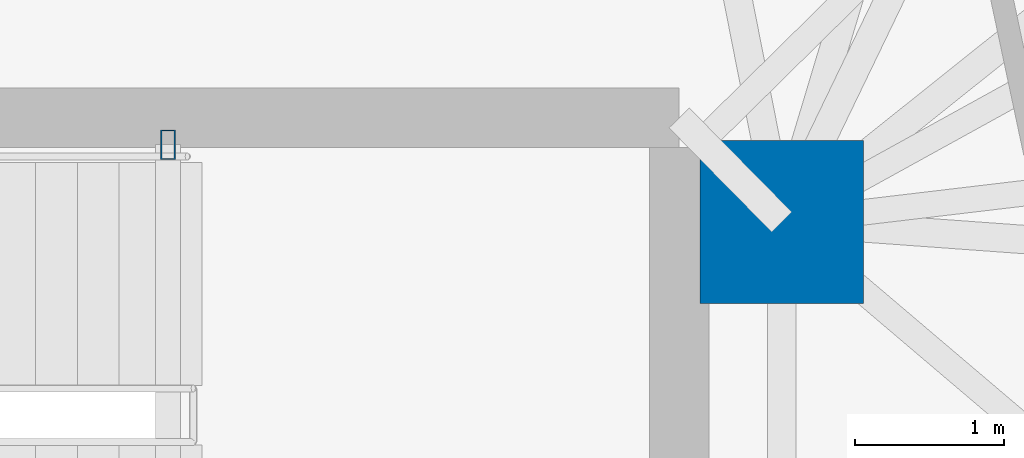
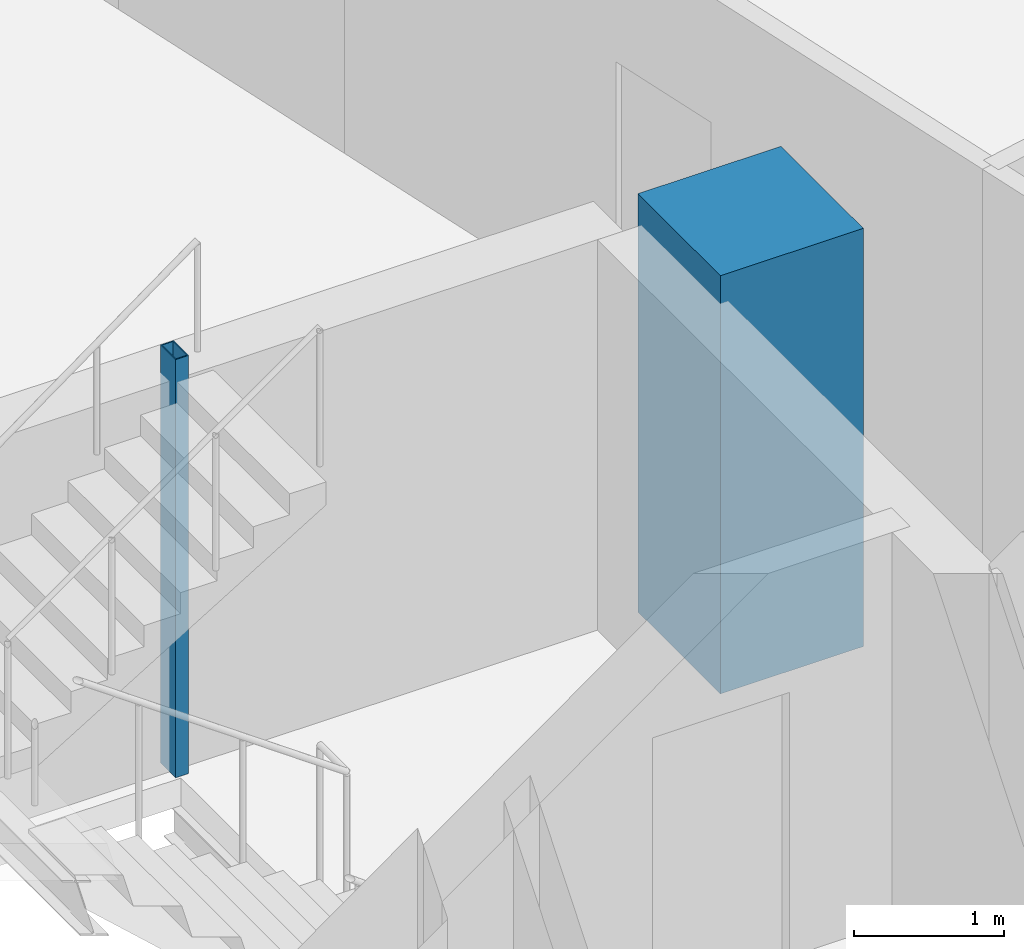
# One storey, part 4 of 20: 2 columns.
"""IFC4 building model written with IfcOpenShell, lengths in metres."""

import ifcopenshell
import ifcopenshell.guid

model = None  # the IFC model being written
_history = None  # IfcOwnerHistory: only IFC2X3 demands one
_inside = {}  # id of a spatial element -> (the spatial element, [elements in it])
_under = {}  # id of a project, library or spatial element -> (it, [spatial elements below it])
_declared = {}  # id of a project -> (the project, [libraries it declares])
_typed = {}  # id of a type object -> (the type object, [elements of that type])
_made_of = {}  # id of a material, layer set ... -> (it, [elements and type objects made of it])


def new_model(schema):
    """Start an empty IFC model of exactly this schema.

    Asked for "IFC4X3", IfcOpenShell would pick the latest addendum, in which some entities
    have other attributes; the version numbers below select the first issue.
    IFC2X3 requires an IfcOwnerHistory on every rooted entity: one is made here for all.
    """
    global model, _history
    if schema == "IFC4X3":
        model = ifcopenshell.file(schema_version=(4, 3, 0, 0))
    else:
        model = ifcopenshell.file(schema=schema)
    _inside.clear()
    _under.clear()
    _declared.clear()
    _typed.clear()
    _made_of.clear()
    _history = None
    if model.schema == "IFC2X3":
        org = make("IfcOrganization", Name="unknown")
        user = make(
            "IfcPersonAndOrganization",
            ThePerson=make("IfcPerson", FamilyName="unknown"),
            TheOrganization=org,
        )
        app = make(
            "IfcApplication",
            ApplicationDeveloper=org,
            Version="unknown",
            ApplicationFullName="unknown",
            ApplicationIdentifier="unknown",
        )
        _history = make(
            "IfcOwnerHistory",
            OwningUser=user,
            OwningApplication=app,
            ChangeAction="ADDED",
            CreationDate=0,
        )
    return model


def make(cls, **values):
    """One entity of the class cls with the attributes given. An attribute that is None is left unset."""
    return model.create_entity(
        cls, **{name: value for name, value in values.items() if value is not None}
    )


def rooted(cls, **values):
    """An entity with a GlobalId (a new one), such as an element, a storey or a relation."""
    return make(cls, GlobalId=ifcopenshell.guid.new(), OwnerHistory=_history, **values)


def si_unit(unit_type, name, prefix=None):
    """IfcSIUnit, for example si_unit("LENGTHUNIT", "METRE", prefix="MILLI")."""
    return make("IfcSIUnit", UnitType=unit_type, Prefix=prefix, Name=name)


def assignment(units):
    """IfcUnitAssignment: the units of a project."""
    return None if units is None else make("IfcUnitAssignment", Units=units)


def point(xyz):
    """IfcCartesianPoint."""
    return None if xyz is None else make("IfcCartesianPoint", Coordinates=xyz)


def direction(xyz):
    """IfcDirection."""
    return None if xyz is None else make("IfcDirection", DirectionRatios=xyz)


def frame(location, z_axis=None, x_axis=None):
    """IfcAxis2Placement3D, a coordinate frame: its origin and axes. An axis left out is left unset."""
    return make(
        "IfcAxis2Placement3D",
        Location=point(location),
        Axis=direction(z_axis),
        RefDirection=direction(x_axis),
    )


def frame_2d(location, x_axis=None):
    """IfcAxis2Placement2D, a coordinate frame in the plane: its origin and x axis."""
    return make(
        "IfcAxis2Placement2D", Location=point(location), RefDirection=direction(x_axis)
    )


def origin():
    """The frame at (0, 0, 0) with its axes left unset."""
    return frame((0.0, 0.0, 0.0))


def origin_2d():
    """The frame at (0, 0) in the plane with its x axis left unset."""
    return frame_2d((0.0, 0.0))


def place(relative_to, where):
    """IfcLocalPlacement: puts the frame where relative to a parent placement (None: the world)."""
    return make(
        "IfcLocalPlacement", PlacementRelTo=relative_to, RelativePlacement=where
    )


def context(
    kind, dimensions, precision=None, world=None, true_north=None, identifier=None
):
    """IfcGeometricRepresentationContext, for example the 3D "Model" context."""
    return make(
        "IfcGeometricRepresentationContext",
        ContextIdentifier=identifier,
        ContextType=kind,
        CoordinateSpaceDimension=dimensions,
        Precision=precision,
        WorldCoordinateSystem=world,
        TrueNorth=true_north,
    )


def subcontext(parent, identifier, kind, view, scale=None):
    """IfcGeometricRepresentationSubContext, for example "Body" below "Model"."""
    return make(
        "IfcGeometricRepresentationSubContext",
        ContextIdentifier=identifier,
        ContextType=kind,
        ParentContext=parent,
        TargetScale=scale,
        TargetView=view,
    )


def project(units=None, contexts=None):
    """IfcProject with its units and contexts."""
    return rooted(
        "IfcProject",
        Name="project",
        RepresentationContexts=contexts,
        UnitsInContext=assignment(units),
    )


def spatial(cls, under=None, at=None, **own):
    """A site, building, storey or space (cls), placed at a placement, below another one or the project."""
    s = rooted(cls, ObjectPlacement=at, **own)
    if under is not None:
        _under.setdefault(under.id(), (under, []))[1].append(s)
    return s


def profile(cls, at=None, kind="AREA", **sizes):
    """A parametric profile (cls). Its sizes go by their IFC names, for example OverallWidth=200.0."""
    return make(cls, ProfileType=kind, Position=at, **sizes)


def rectangle(**sizes):
    """IfcRectangleProfileDef."""
    return profile("IfcRectangleProfileDef", **sizes)


def hollow_rectangle(**sizes):
    """IfcRectangleHollowProfileDef."""
    return profile("IfcRectangleHollowProfileDef", **sizes)


def extrude(swept, where, along, depth):
    """IfcExtrudedAreaSolid: the profile swept, set in the frame where, extruded along a direction by depth."""
    return make(
        "IfcExtrudedAreaSolid",
        SweptArea=swept,
        Position=where,
        ExtrudedDirection=direction(along),
        Depth=depth,
    )


def shape(context_of_items, identifier, shape_type, items):
    """IfcShapeRepresentation: the items that make up one representation, for example the "Body"."""
    return make(
        "IfcShapeRepresentation",
        ContextOfItems=context_of_items,
        RepresentationIdentifier=identifier,
        RepresentationType=shape_type,
        Items=items,
    )


def material(Name=None, Category=None):
    """IfcMaterial."""
    return make("IfcMaterial", Name=Name, Category=Category)


def material_profile(
    of_material, cross_section, Name=None, Category=None, Priority=None
):
    """IfcMaterialProfile: a cross section and its material."""
    return make(
        "IfcMaterialProfile",
        Name=Name,
        Material=of_material,
        Profile=cross_section,
        Priority=Priority,
        Category=Category,
    )


def profile_set(profiles, Name=None, composite=None):
    """IfcMaterialProfileSet."""
    return make(
        "IfcMaterialProfileSet",
        Name=Name,
        MaterialProfiles=profiles,
        CompositeProfile=composite,
    )


def made_of(thing, what):
    """Note that an element or type object is made of a material, layer set ...; save() writes the relation."""
    if what is not None:
        _made_of.setdefault(what.id(), (what, []))[1].append(thing)
    return thing


def type_object(cls, material=None, **own):
    """A type object (cls), such as IfcWallType, which elements share."""
    return made_of(rooted(cls, **own), material)


def element(
    cls,
    number,
    at=None,
    inside=None,
    cuts=None,
    type_object=None,
    material=None,
    context=None,
    identifier="Body",
    shape_type=None,
    held_by="IfcProductDefinitionShape",
    body=None,
    shapes=None,
    **own,
):
    """One element of the class cls, such as IfcWall. Its Tag is "e" and its number.

    at: its placement. inside: the storey or other place that contains it. cuts: it is an
    opening in that element (IfcRelVoidsElement). A single representation is given by context,
    identifier, shape_type and body (its items); several are given by shapes. held_by: the class
    of the entity that holds the representations. save() writes the other relations.
    """
    e = rooted(cls, Tag="e%d" % number, ObjectPlacement=at, **own)
    if body is not None:
        shapes = [shape(context, identifier, shape_type, body)]
    if shapes is not None:
        e.Representation = make(held_by, Representations=shapes)
    if inside is not None:
        _inside.setdefault(inside.id(), (inside, []))[1].append(e)
    if cuts is not None:
        rooted(
            "IfcRelVoidsElement", RelatingBuildingElement=cuts, RelatedOpeningElement=e
        )
    if type_object is not None:
        _typed.setdefault(type_object.id(), (type_object, []))[1].append(e)
    return made_of(e, material)


def aggregate(whole, parts):
    """IfcRelAggregates: a whole, such as a stair, and the parts it consists of."""
    return rooted("IfcRelAggregates", RelatingObject=whole, RelatedObjects=parts)


def save(model, path):
    """Write the relations noted so far, then the file.

    IfcRelAggregates (storeys below a building ...), IfcRelContainedInSpatialStructure (elements
    in a storey), IfcRelDefinesByType, IfcRelAssociatesMaterial and IfcRelDeclares: one each for
    every whole, place, type object, material and project.
    """
    for whole, parts in _under.values():
        aggregate(whole, parts)
    for where, things in _inside.values():
        rooted(
            "IfcRelContainedInSpatialStructure",
            RelatedElements=things,
            RelatingStructure=where,
        )
    for kind, things in _typed.values():
        rooted("IfcRelDefinesByType", RelatedObjects=things, RelatingType=kind)
    for what, things in _made_of.values():
        rooted("IfcRelAssociatesMaterial", RelatedObjects=things, RelatingMaterial=what)
    for by, libraries in _declared.values():
        rooted("IfcRelDeclares", RelatingContext=by, RelatedDefinitions=libraries)
    model.write(path)


model = new_model("IFC4")

# Units and contexts
model_context = context("Model", 3, precision=1e-05, world=origin(), true_north=direction((0.0, 1.0)))
body_context = subcontext(model_context, "Body", "Model", "MODEL_VIEW")
ifc_project = project(units=[si_unit("LENGTHUNIT", "METRE"), si_unit("AREAUNIT", "SQUARE_METRE"), si_unit("VOLUMEUNIT", "CUBIC_METRE"), si_unit("PLANEANGLEUNIT", "RADIAN"), si_unit("MASSUNIT", "GRAM", prefix="KILO")], contexts=[model_context])

# Site, building, storey
site_placement = place(None, origin())
site = spatial("IfcSite", under=ifc_project, at=site_placement, CompositionType="ELEMENT")
building_placement = place(site_placement, origin())
building = spatial("IfcBuilding", under=site, at=building_placement, Name="Menara Jurai Vektor", CompositionType="ELEMENT")
storey_placement = place(building_placement, frame((0.0, 0.0, 185.39990234375)))
storey = spatial("IfcBuildingStorey", under=building, at=storey_placement, Name="L48", CompositionType="ELEMENT", Elevation=185.39990234375)

# Columns
ifc_material_1 = material(Name="Concrete C50/60", Category="concrete")
ifc_material_profile_1 = material_profile(ifc_material_1, rectangle(XDim=1.10009765625, YDim=1.10009765625, at=origin_2d()), Name="RC 1100x1100")
ifc_profile_set_1 = profile_set([ifc_material_profile_1], Name="Concrete C50/60")
column_type_1 = type_object("IfcColumnType", Name="STR-COL-RC1100", PredefinedType="COLUMN", material=ifc_profile_set_1)
column_1_placement = place(storey_placement, frame((15.25, 4.89990234375, 0.0), z_axis=(0.0, 0.0, 1.0), x_axis=(1.0, 0.0, 0.0)))
element("IfcColumn", 1, at=column_1_placement, inside=storey, type_object=column_type_1, Name="Core Spine Column CE-NE L48", PredefinedType="COLUMN", context=body_context, shape_type="SweptSolid", body=[
    extrude(rectangle(XDim=1.10009765625, YDim=1.10009765625, at=origin_2d()), origin(), (0.0, 0.0, 1.0), 3.400146484375),
])
ifc_material_2 = material(Name="Steel S355", Category="steel")
ifc_material_profile_2 = material_profile(ifc_material_2, hollow_rectangle(XDim=0.10009765625, YDim=0.199951171875, WallThickness=0.008056640625, at=origin_2d()), Name="RHS 200x100x8")
ifc_profile_set_2 = profile_set([ifc_material_profile_2], Name="Steel S355")
column_type_2 = type_object("IfcColumnType", Name="STR-COL-STAIR", PredefinedType="COLUMN", material=ifc_profile_set_2)
column_2_placement = place(storey_placement, frame((11.1201171875, 5.419921875, 0.0), z_axis=(0.0, 0.0, 1.0), x_axis=(1.0, 0.0, 0.0)))
element("IfcColumn", 2, at=column_2_placement, inside=storey, type_object=column_type_2, Name="Stair Well Header Column ST2-P2 L48", PredefinedType="COLUMN", context=body_context, shape_type="SweptSolid", body=[
    extrude(hollow_rectangle(XDim=0.10009765625, YDim=0.199951171875, WallThickness=0.008056640625, at=origin_2d()), origin(), (0.0, 0.0, 1.0), 3.400146484375),
])

save(model, "model.ifc")
